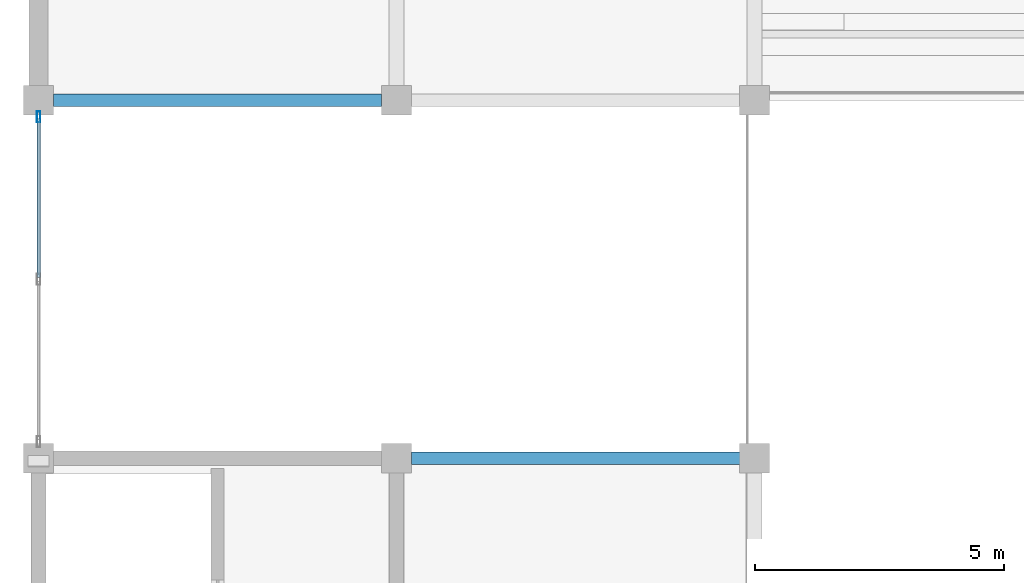
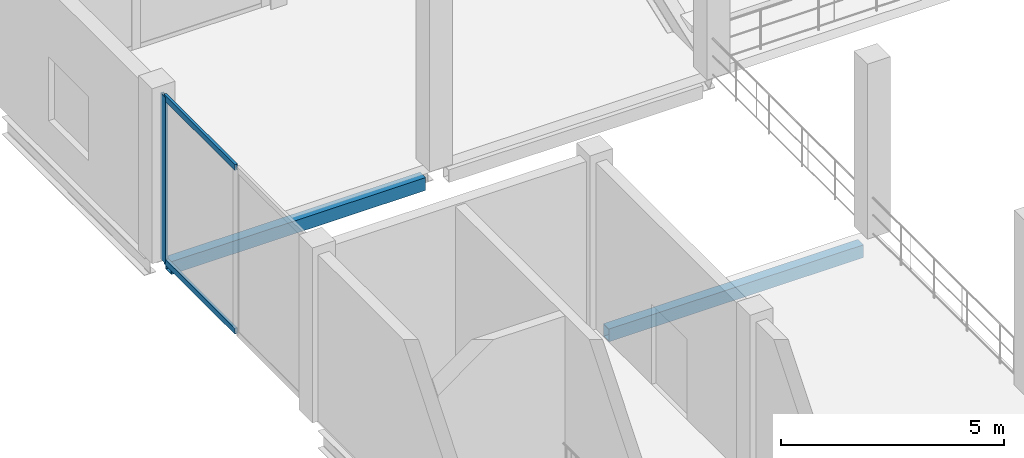
# One storey, part 42 of 120: 3 members, 2 beams, 1 element without a shape of its own.
"""IFC4 building model written with IfcOpenShell, lengths in metres."""

from ifc_helpers import new_model, si_unit, direction, frame, origin, origin_2d, place, context, subcontext, project, spatial, hollow_rectangle, extrude, material, material_profile, profile_set, type_object, element, aggregate, save


model = new_model("IFC4")

# Units and contexts
model_context = context("Model", 3, precision=1e-05, world=origin(), true_north=direction((0.0, 1.0)))
body_context = subcontext(model_context, "Body", "Model", "MODEL_VIEW")
ifc_project = project(units=[si_unit("LENGTHUNIT", "METRE"), si_unit("AREAUNIT", "SQUARE_METRE"), si_unit("VOLUMEUNIT", "CUBIC_METRE"), si_unit("PLANEANGLEUNIT", "RADIAN"), si_unit("MASSUNIT", "GRAM", prefix="KILO")], contexts=[model_context])

# Site, building, storey
site_placement = place(None, origin())
site = spatial("IfcSite", under=ifc_project, at=site_placement, CompositionType="ELEMENT")
building_placement = place(site_placement, origin())
building = spatial("IfcBuilding", under=site, at=building_placement, Name="Vesperath Aquatics Centre", CompositionType="ELEMENT")
storey_placement = place(building_placement, frame((0.0, 0.0, 10.199951171875)))
storey = spatial("IfcBuildingStorey", under=building, at=storey_placement, Name="L02", CompositionType="ELEMENT", Elevation=10.199951171875)

# Beams
ifc_material_1 = material(Name="Steel Q355D", Category="steel")
ifc_material_profile_1 = material_profile(ifc_material_1, hollow_rectangle(XDim=0.25, YDim=0.35009765625, WallThickness=0.011962890625, at=origin_2d()), Name="RHS 350x250x12")
ifc_profile_set_1 = profile_set([ifc_material_profile_1], Name="Steel Q355D")
beam_type = type_object("IfcBeamType", Name="BM-SP02", PredefinedType="SPANDREL", material=ifc_profile_set_1)
beam_1_placement = place(storey_placement, frame((0.300048828125, 79.199951171875, -0.43505859375), z_axis=(1.0, 0.0, 0.0), x_axis=(0.0, 1.0, 0.0)))
element("IfcBeam", 1, at=beam_1_placement, inside=storey, type_object=beam_type, Name="Floor Girder SP02 L02 M 1-2", PredefinedType="SPANDREL", context=body_context, shape_type="SweptSolid", body=[
    extrude(hollow_rectangle(XDim=0.25, YDim=0.35009765625, WallThickness=0.011962890625, at=origin_2d()), origin(), (0.0, 0.0, 1.0), 6.599853515625),
])
beam_2_placement = place(storey_placement, frame((7.5, 72.0, -0.43505859375), z_axis=(1.0, 0.0, 0.0), x_axis=(0.0, 1.0, 0.0)))
element("IfcBeam", 2, at=beam_2_placement, inside=storey, type_object=beam_type, Name="Floor Girder SP02 L02 L 2-3", PredefinedType="SPANDREL", context=body_context, shape_type="SweptSolid", body=[
    extrude(hollow_rectangle(XDim=0.25, YDim=0.35009765625, WallThickness=0.011962890625, at=origin_2d()), origin(), (0.0, 0.0, 1.0), 6.60009765625),
])

# Curtain wall, members
ifc_material_2 = material(Name="Thermally broken anodised bronze aluminium curtain wall", Category="aluminium")
curtain_wall_type = type_object("IfcCurtainWallType", Name="CW-06", PredefinedType="NOTDEFINED", material=ifc_material_2)
curtain_wall_placement = place(storey_placement, origin())
curtain_wall = element("IfcCurtainWall", 3, at=curtain_wall_placement, inside=storey, type_object=curtain_wall_type, Name="Facade Curtain Wall CW06 L02_W_00_10", PredefinedType="NOTDEFINED")
ifc_material_3 = material(Name="Thermally broken anodised aluminium", Category="aluminium")
ifc_material_profile_2 = material_profile(ifc_material_3, hollow_rectangle(XDim=0.070068359375, YDim=0.219970703125, WallThickness=0.0048828125, at=origin_2d()), Name="CWM 70x220x5")
ifc_profile_set_2 = profile_set([ifc_material_profile_2], Name="Thermally broken anodised aluminium")
member_type_1 = type_object("IfcMemberType", Name="MB-CWM2", PredefinedType="MULLION", material=ifc_profile_set_2)
member_1_placement = place(storey_placement, frame((0.0, 78.864990234375, 0.0), z_axis=(0.0, 0.0, 1.0), x_axis=(-1.0, 0.0, 0.0)))
member_1 = element("IfcMember", 4, at=member_1_placement, type_object=member_type_1, Name="CW06 mullion 3", PredefinedType="MULLION", context=body_context, shape_type="SweptSolid", body=[
    extrude(hollow_rectangle(XDim=0.070068359375, YDim=0.219970703125, WallThickness=0.0048828125, at=origin_2d()), origin(), (0.0, 0.0, 1.0), 4.56005859375),
])
ifc_material_profile_3 = material_profile(ifc_material_3, hollow_rectangle(XDim=0.070068359375, YDim=0.159912109375, WallThickness=0.0048828125, at=origin_2d()), Name="CWT 70x160x5")
ifc_profile_set_3 = profile_set([ifc_material_profile_3], Name="Thermally broken anodised aluminium")
member_type_2 = type_object("IfcMemberType", Name="MB-CWT2", PredefinedType="USERDEFINED", material=ifc_profile_set_3)
member_2_placement = place(storey_placement, frame((0.0, 75.635009765625, 0.03515625), z_axis=(0.0, 1.0, 0.0), x_axis=(-1.0, 0.0, 0.0)))
member_2 = element("IfcMember", 5, at=member_2_placement, type_object=member_type_2, Name="CW06 transom 2.1", ObjectType="TRANSOM", PredefinedType="USERDEFINED", context=body_context, shape_type="SweptSolid", body=[
    extrude(hollow_rectangle(XDim=0.070068359375, YDim=0.159912109375, WallThickness=0.0048828125, at=origin_2d()), origin(), (0.0, 0.0, 1.0), 3.195068359375),
])
member_3_placement = place(storey_placement, frame((0.0, 75.635009765625, 4.525146484375), z_axis=(0.0, 1.0, 0.0), x_axis=(-1.0, 0.0, 0.0)))
member_3 = element("IfcMember", 6, at=member_3_placement, type_object=member_type_2, Name="CW06 transom 2.2", ObjectType="TRANSOM", PredefinedType="USERDEFINED", context=body_context, shape_type="SweptSolid", body=[
    extrude(hollow_rectangle(XDim=0.070068359375, YDim=0.159912109375, WallThickness=0.0048828125, at=origin_2d()), origin(), (0.0, 0.0, 1.0), 3.195068359375),
])
aggregate(curtain_wall, [member_1, member_2, member_3])

save(model, "model.ifc")
